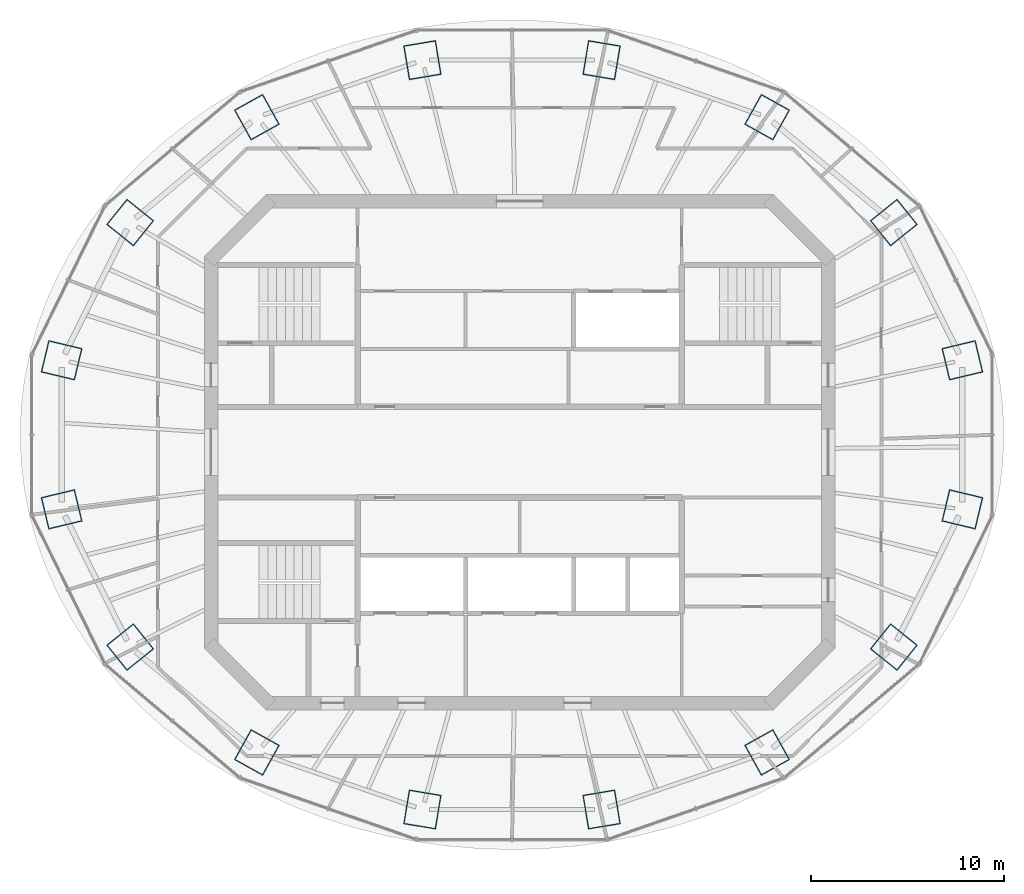
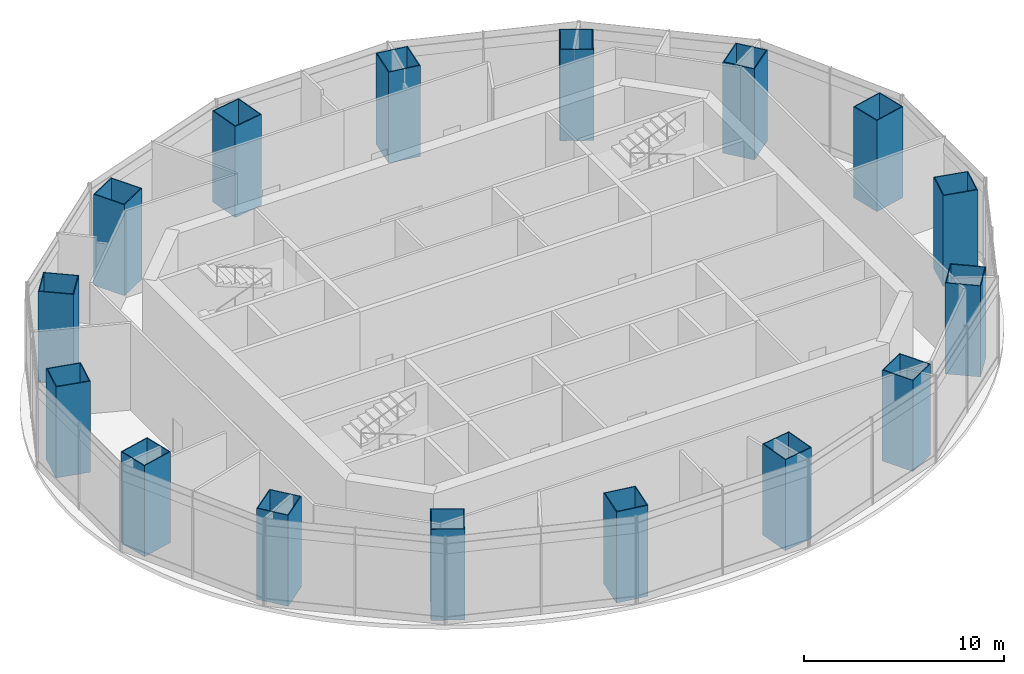
# One storey, part 1 of 13: 16 columns.
"""IFC4 building model written with IfcOpenShell, lengths in metres."""

from ifc_helpers import new_model, si_unit, direction, frame, origin, origin_2d, place, context, subcontext, project, spatial, rectangle, hollow_rectangle, extrude, material, material_profile, profile_set, type_object, element, save


model = new_model("IFC4")

# Units and contexts
model_context = context("Model", 3, precision=1e-05, world=origin(), true_north=direction((0.0, 1.0)))
body_context = subcontext(model_context, "Body", "Model", "MODEL_VIEW")
ifc_project = project(units=[si_unit("LENGTHUNIT", "METRE"), si_unit("AREAUNIT", "SQUARE_METRE"), si_unit("VOLUMEUNIT", "CUBIC_METRE"), si_unit("PLANEANGLEUNIT", "RADIAN"), si_unit("MASSUNIT", "GRAM", prefix="KILO")], contexts=[model_context])

# Site, building, storey
site_placement = place(None, origin())
site = spatial("IfcSite", under=ifc_project, at=site_placement, CompositionType="ELEMENT")
building_placement = place(site_placement, origin())
building = spatial("IfcBuilding", under=site, at=building_placement, Name="Marenthal Gate Tower", CompositionType="ELEMENT")
storey_placement = place(building_placement, frame((0.0, 0.0, 401.949951171875)))
storey = spatial("IfcBuildingStorey", under=building, at=storey_placement, Name="L91", CompositionType="ELEMENT", Elevation=401.949951171875)

# Columns
ifc_material_1 = material(Name="Steel S460", Category="steel")
ifc_material_profile_1 = material_profile(ifc_material_1, hollow_rectangle(XDim=1.699951171875, YDim=1.800048828125, WallThickness=0.050048828125, at=origin_2d()), Name="CFT BOX 1800X1700X50")
ifc_material_2 = material(Name="Concrete 70 MPa", Category="concrete")
ifc_material_profile_2 = material_profile(ifc_material_2, rectangle(XDim=1.60009765625, YDim=1.699951171875, at=origin_2d()), Name="CFT BOX 1800X1700X50 INFILL")
ifc_profile_set = profile_set([ifc_material_profile_1, ifc_material_profile_2], Name="Steel S460 shell, Concrete 70 MPa infill")
column_type = type_object("IfcColumnType", Name="CFT BOX 1800X1700X50", PredefinedType="COLUMN", material=ifc_profile_set)
for number, where, z_axis, x_axis, name in (
    (1, (22.942626953125, 4.7626953125, -0.25), (0.0, 0.0, 1.0), (0.23254240314, -0.972586258767, 0.0), "COL-L91-01"),
    (2, (19.388916015625, 11.900390625, -0.25), (0.0, 0.0, 1.0), (0.626198386629, -0.779663761235, 0.0), "COL-L91-02"),
    (3, (12.822509765625, 17.363037109375, -0.25), (0.0, 0.0, 1.0), (0.874036923868, -0.485859502032, 0.0), "COL-L91-03"),
    (4, (4.2431640625, 20.319580078125, -0.25), (0.0, 0.0, 1.0), (0.98658270668, -0.163262251851, 0.0), "COL-L91-04"),
    (5, (-5.043212890625, 20.319580078125, -0.25), (0.0, 0.0, 1.0), (0.98658270668, 0.163262251851, 0.0), "COL-L91-05"),
    (6, (-13.62255859375, 17.363037109375, -0.25), (0.0, 0.0, 1.0), (0.874036923868, 0.485859502032, 0.0), "COL-L91-06"),
    (7, (-20.18896484375, 11.900390625, -0.25), (0.0, 0.0, 1.0), (0.626198386629, 0.779663761235, 0.0), "COL-L91-07"),
    (8, (-23.74267578125, 4.7626953125, -0.25), (0.0, 0.0, 1.0), (0.23254240314, 0.972586258767, 0.0), "COL-L91-08"),
    (9, (-23.74267578125, -2.962890625, -0.25), (0.0, 0.0, 1.0), (-0.23254240314, 0.972586258767, 0.0), "COL-L91-09"),
    (10, (-20.18896484375, -10.100341796875, -0.25), (0.0, 0.0, 1.0), (-0.626198386629, 0.779663761235, 0.0), "COL-L91-10"),
    (11, (-13.62255859375, -15.56298828125, -0.25), (0.0, 0.0, 1.0), (-0.874036923868, 0.485859502032, 0.0), "COL-L91-11"),
    (12, (-5.043212890625, -18.51953125, -0.25), (0.0, 0.0, 1.0), (-0.98658270668, 0.163262251851, 0.0), "COL-L91-12"),
    (13, (4.2431640625, -18.51953125, -0.25), (0.0, 0.0, 1.0), (-0.98658270668, -0.163262251851, 0.0), "COL-L91-13"),
    (14, (12.822509765625, -15.56298828125, -0.25), (0.0, 0.0, 1.0), (-0.874036923868, -0.485859502032, 0.0), "COL-L91-14"),
    (15, (19.388916015625, -10.100341796875, -0.25), (0.0, 0.0, 1.0), (-0.626198386629, -0.779663761235, 0.0), "COL-L91-15"),
    (16, (22.942626953125, -2.962890625, -0.25), (0.0, 0.0, 1.0), (-0.23254240314, -0.972586258767, 0.0), "COL-L91-16"),
):
    element("IfcColumn", number, at=place(storey_placement, frame(where, z_axis=z_axis, x_axis=x_axis)), inside=storey, type_object=column_type, Name=name, PredefinedType="COLUMN", context=body_context, shape_type="SweptSolid", body=[
        extrude(hollow_rectangle(XDim=1.699951171875, YDim=1.800048828125, WallThickness=0.050048828125, at=origin_2d()), origin(), (0.0, 0.0, 1.0), 5.550048828125),
    ])

save(model, "model.ifc")
